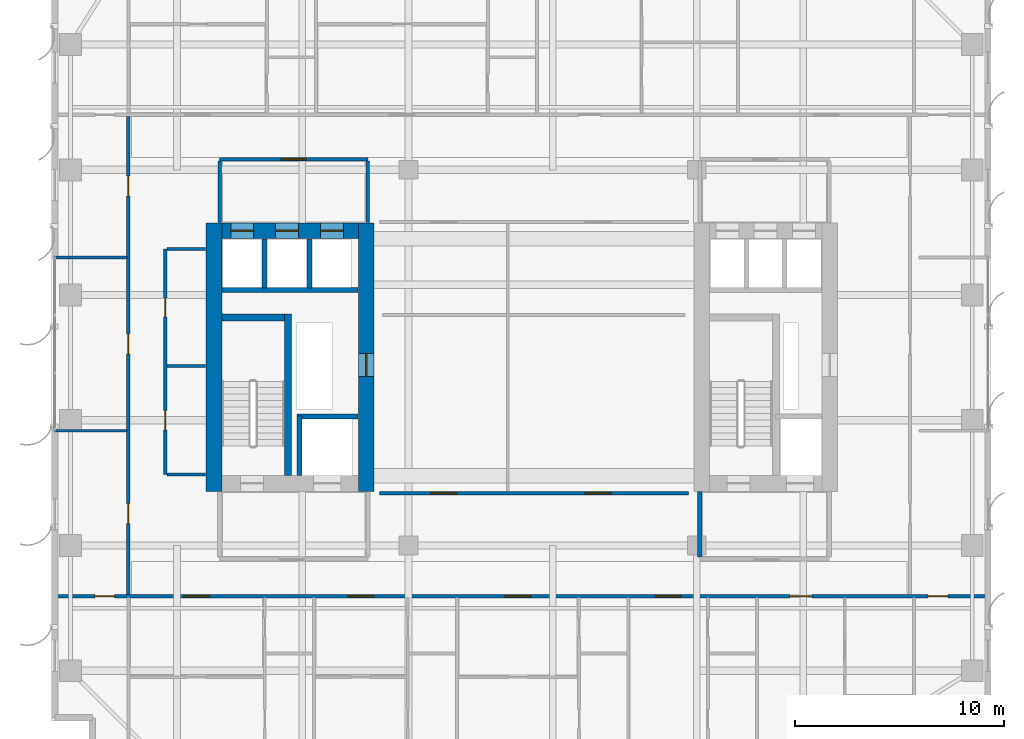
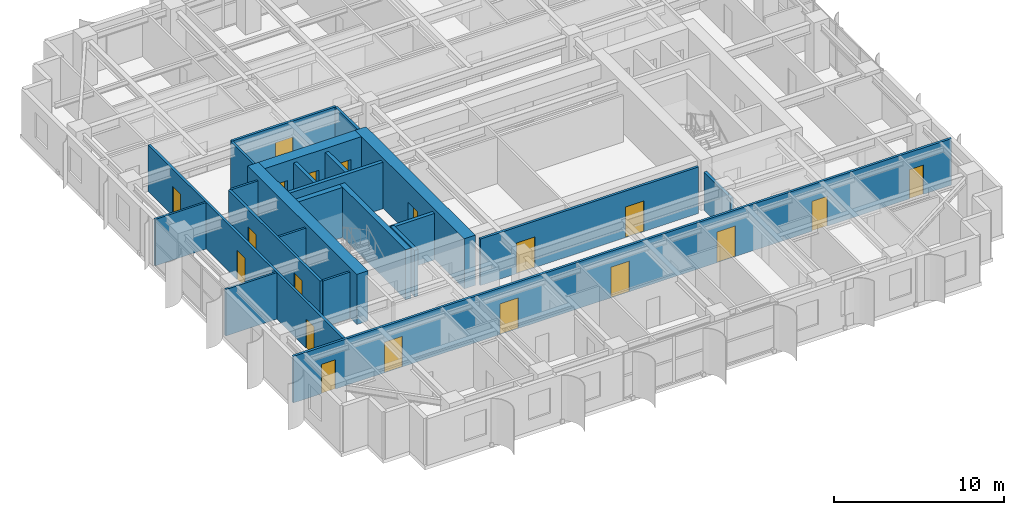
# One storey, part 14 of 22: 23 walls, 19 doors, 19 openings.
"""IFC4 building model written with IfcOpenShell, lengths in metres."""

from ifc_helpers import new_model, si_unit, direction, frame, frame_2d, origin, place, context, subcontext, project, spatial, rectangle, extrude, source, transform, mapped, material, layer, layer_set, type_object, element, fill, save


model = new_model("IFC4")

# Units and contexts
model_context = context("Model", 3, precision=1e-05, world=origin(), true_north=direction((0.0, 1.0)))
body_context = subcontext(model_context, "Body", "Model", "MODEL_VIEW")
ifc_project = project(units=[si_unit("LENGTHUNIT", "METRE"), si_unit("AREAUNIT", "SQUARE_METRE"), si_unit("VOLUMEUNIT", "CUBIC_METRE"), si_unit("PLANEANGLEUNIT", "RADIAN"), si_unit("MASSUNIT", "GRAM", prefix="KILO")], contexts=[model_context])

# Site, building, storey
site_placement = place(None, origin())
site = spatial("IfcSite", under=ifc_project, at=site_placement, CompositionType="ELEMENT")
building_placement = place(site_placement, origin())
building = spatial("IfcBuilding", under=site, at=building_placement, Name="Khoralis Quay Care Tower", CompositionType="ELEMENT")
storey_placement = place(building_placement, frame((0.0, 0.0, 98.10009765625)))
storey = spatial("IfcBuildingStorey", under=building, at=storey_placement, Name="L25", CompositionType="ELEMENT", Elevation=98.10009765625)

# Walls
ifc_material_1 = material(Name="Gypsum plasterboard on acoustic metal stud")
ifc_layer_1 = layer(ifc_material_1, 0.199951171875)
ifc_layer_set_1 = layer_set([ifc_layer_1], Name="Gypsum plasterboard on acoustic metal stud")
wall_type_1 = type_object("IfcWallType", Name="WL-COMP-200", PredefinedType="PARTITIONING", material=ifc_layer_set_1)
wall_1_placement = place(storey_placement, frame((31.050048828125, 11.445068359375, 0.0), z_axis=(0.0, 0.0, 1.0), x_axis=(0.0, 1.0, 0.0)))
element("IfcWall", 1, at=wall_1_placement, inside=storey, type_object=wall_type_1, Name="L25 East Firefighting Lobby West Wall", PredefinedType="PARTITIONING", context=body_context, shape_type="SweptSolid", body=[
    extrude(rectangle(XDim=3.135009765625, YDim=0.199951171875, at=frame_2d((1.5673828125, 0.0))), origin(), (0.0, 0.0, 1.0), 2.723876953125),
])
ifc_material_2 = material(Name="Concrete C80/95", Category="concrete")
ifc_layer_2 = layer(ifc_material_2, 0.75)
ifc_layer_set_2 = layer_set([ifc_layer_2], Name="Concrete C80/95")
wall_type_2 = type_object("IfcWallType", Name="WL-CORE-750", PredefinedType="SHEAR", material=ifc_layer_set_2)
wall_2_placement = place(storey_placement, frame((7.77490234375, 14.60009765625, 0.0), z_axis=(0.0, 0.0, 1.0), x_axis=(0.0, 1.0, 0.0)))
element("IfcWall", 2, at=wall_2_placement, inside=storey, type_object=wall_type_2, Name="L25 WCORE West Shear Wall", PredefinedType="SHEAR", context=body_context, shape_type="SweptSolid", body=[
    extrude(rectangle(XDim=12.849853515625, YDim=0.75, at=frame_2d((6.4248046875, 0.0))), origin(), (0.0, 0.0, 1.0), 3.599853515625),
])

# Wall, opening, door
wall_3_placement = place(storey_placement, frame((15.074951171875, 14.60009765625, 0.0), z_axis=(0.0, 0.0, 1.0), x_axis=(0.0, 1.0, 0.0)))
wall_3 = element("IfcWall", 3, at=wall_3_placement, inside=storey, type_object=wall_type_2, Name="L25 WCORE East Shear Wall", PredefinedType="SHEAR", context=body_context, shape_type="SweptSolid", body=[
    extrude(rectangle(XDim=12.849853515625, YDim=0.75, at=frame_2d((6.4248046875, 0.0))), origin(), (0.0, 0.0, 1.0), 3.599853515625),
])
opening_1_placement = place(wall_3_placement, frame((5.5, 0.0, 0.0)))
opening_1 = element("IfcOpeningElement", 4, at=opening_1_placement, cuts=wall_3, Name="Opening SD1", PredefinedType="OPENING", context=body_context, shape_type="SweptSolid", body=[
    extrude(rectangle(XDim=1.10009765625, YDim=2.199951171875, at=frame_2d((0.550048828125, 1.10009765625))), frame((0.0, 0.385009765625, 0.0), z_axis=(0.0, -1.0, 0.0), x_axis=(1.0, 0.0, 0.0)), (0.0, 0.0, 1.0), 0.77001953125),
])
ifc_material_3 = material(Name="Fire-rated painted steel", Category="steel")
door_type_1 = type_object("IfcDoorType", Name="DR-STAIR-1100X2200", OperationType="NOTDEFINED", PredefinedType="DOOR", material=ifc_material_3)
shared_shape_1 = source(origin(), body_context, "Body", "SweptSolid", [
    extrude(rectangle(XDim=1.10009765625, YDim=2.199951171875, at=frame_2d((0.550048828125, 1.10009765625))), frame((0.0, 0.02490234375, 0.0), z_axis=(0.0, -1.0, 0.0), x_axis=(1.0, 0.0, 0.0)), (0.0, 0.0, 1.0), 0.050048828125),
])
door_1_placement = place(opening_1_placement, origin())
door_1 = element("IfcDoor", 5, at=door_1_placement, inside=storey, type_object=door_type_1, Name="L25 West MEP Riser Door", OperationType="SINGLE_SWING_LEFT", OverallHeight=2.199951171875, OverallWidth=1.10009765625, PredefinedType="DOOR", context=body_context, shape_type="MappedRepresentation", body=[
    mapped(shared_shape_1, transform((0.0, 0.0, 0.0), scale=1.0)),
])
fill(opening_1, door_1)

# Wall, openings, doors
wall_4_placement = place(storey_placement, frame((8.14990234375, 27.074951171875, 0.0), z_axis=(0.0, 0.0, 1.0), x_axis=(1.0, 0.0, 0.0)))
wall_4 = element("IfcWall", 6, at=wall_4_placement, inside=storey, type_object=wall_type_2, Name="L25 WCORE North Shear Wall", PredefinedType="SHEAR", context=body_context, shape_type="SweptSolid", body=[
    extrude(rectangle(XDim=6.550048828125, YDim=0.75, at=frame_2d((3.27490234375, 0.0))), origin(), (0.0, 0.0, 1.0), 3.599853515625),
])
opening_2_placement = place(wall_4_placement, frame((0.429931640625, 0.0, 0.0)))
opening_2 = element("IfcOpeningElement", 7, at=opening_2_placement, cuts=wall_4, Name="Opening LD1", PredefinedType="OPENING", context=body_context, shape_type="SweptSolid", body=[
    extrude(rectangle(XDim=1.10009765625, YDim=2.199951171875, at=frame_2d((0.550048828125, 1.10009765625))), frame((0.0, 0.385009765625, 0.0), z_axis=(0.0, -1.0, 0.0), x_axis=(1.0, 0.0, 0.0)), (0.0, 0.0, 1.0), 0.77001953125),
])
opening_3_placement = place(wall_4_placement, frame((2.570068359375, 0.0, 0.0)))
opening_3 = element("IfcOpeningElement", 8, at=opening_3_placement, cuts=wall_4, Name="Opening LD1", PredefinedType="OPENING", context=body_context, shape_type="SweptSolid", body=[
    extrude(rectangle(XDim=1.10009765625, YDim=2.199951171875, at=frame_2d((0.550048828125, 1.10009765625))), frame((0.0, 0.385009765625, 0.0), z_axis=(0.0, -1.0, 0.0), x_axis=(1.0, 0.0, 0.0)), (0.0, 0.0, 1.0), 0.77001953125),
])
opening_4_placement = place(wall_4_placement, frame((4.72998046875, 0.0, 0.0)))
opening_4 = element("IfcOpeningElement", 9, at=opening_4_placement, cuts=wall_4, Name="Opening LD1", PredefinedType="OPENING", context=body_context, shape_type="SweptSolid", body=[
    extrude(rectangle(XDim=1.10009765625, YDim=2.199951171875, at=frame_2d((0.550048828125, 1.10009765625))), frame((0.0, 0.385009765625, 0.0), z_axis=(0.0, -1.0, 0.0), x_axis=(1.0, 0.0, 0.0)), (0.0, 0.0, 1.0), 0.77001953125),
])
ifc_material_4 = material(Name="Brushed stainless steel", Category="steel")
door_type_2 = type_object("IfcDoorType", Name="DR-LIFT-1100X2200", OperationType="SLIDING_TO_LEFT", PredefinedType="DOOR", material=ifc_material_4)
shared_shape_2 = source(origin(), body_context, "Body", "SweptSolid", [
    extrude(rectangle(XDim=1.10009765625, YDim=2.199951171875, at=frame_2d((0.550048828125, 1.10009765625))), frame((0.0, 0.02490234375, 0.0), z_axis=(0.0, -1.0, 0.0), x_axis=(1.0, 0.0, 0.0)), (0.0, 0.0, 1.0), 0.050048828125),
])
door_2_placement = place(opening_2_placement, origin())
door_2 = element("IfcDoor", 10, at=door_2_placement, inside=storey, type_object=door_type_2, Name="L25 Lift PLL1 Landing Door", OperationType="SLIDING_TO_LEFT", OverallHeight=2.199951171875, OverallWidth=1.10009765625, PredefinedType="DOOR", context=body_context, shape_type="MappedRepresentation", body=[
    mapped(shared_shape_2, transform((0.0, 0.0, 0.0), scale=1.0)),
])
fill(opening_2, door_2)
door_3_placement = place(opening_3_placement, origin())
door_3 = element("IfcDoor", 11, at=door_3_placement, inside=storey, type_object=door_type_2, Name="L25 Lift PLM1 Landing Door", OperationType="SLIDING_TO_LEFT", OverallHeight=2.199951171875, OverallWidth=1.10009765625, PredefinedType="DOOR", context=body_context, shape_type="MappedRepresentation", body=[
    mapped(shared_shape_2, transform((0.0, 0.0, 0.0), scale=1.0)),
])
fill(opening_3, door_3)
door_4_placement = place(opening_4_placement, origin())
door_4 = element("IfcDoor", 12, at=door_4_placement, inside=storey, type_object=door_type_2, Name="L25 Lift PLH1 Landing Door", OperationType="SLIDING_TO_LEFT", OverallHeight=2.199951171875, OverallWidth=1.10009765625, PredefinedType="DOOR", context=body_context, shape_type="MappedRepresentation", body=[
    mapped(shared_shape_2, transform((0.0, 0.0, 0.0), scale=1.0)),
])
fill(opening_4, door_4)

# Wall, opening, door
ifc_layer_3 = layer(ifc_material_1, 0.1650390625)
ifc_layer_set_3 = layer_set([ifc_layer_3], Name="Gypsum plasterboard on acoustic metal stud")
wall_type_3 = type_object("IfcWallType", Name="WL-CORR-165", PredefinedType="PARTITIONING", material=ifc_layer_set_3)
wall_5_placement = place(storey_placement, frame((8.050048828125, 30.5, 0.0), z_axis=(0.0, 0.0, 1.0), x_axis=(1.0, 0.0, 0.0)))
wall_5 = element("IfcWall", 13, at=wall_5_placement, inside=storey, type_object=wall_type_3, Name="L25 West Lift Lobby North Wall", PredefinedType="PARTITIONING", context=body_context, shape_type="SweptSolid", body=[
    extrude(rectangle(XDim=7.099853515625, YDim=0.1650390625, at=frame_2d((3.5498046875, 0.0))), origin(), (0.0, 0.0, 1.0), 3.33984375),
])
opening_5_placement = place(wall_5_placement, frame((2.949951171875, 0.0, 0.0)))
opening_5 = element("IfcOpeningElement", 14, at=opening_5_placement, cuts=wall_5, Name="Opening FD1", PredefinedType="OPENING", context=body_context, shape_type="SweptSolid", body=[
    extrude(rectangle(XDim=1.199951171875, YDim=2.199951171875, at=frame_2d((0.60009765625, 1.10009765625))), frame((0.0, 0.092529296875, 0.0), z_axis=(0.0, -1.0, 0.0), x_axis=(1.0, 0.0, 0.0)), (0.0, 0.0, 1.0), 0.18505859375),
])
door_type_3 = type_object("IfcDoorType", Name="DR-FFL-1200X2200", OperationType="NOTDEFINED", PredefinedType="DOOR", material=ifc_material_3)
shared_shape_3 = source(origin(), body_context, "Body", "SweptSolid", [
    extrude(rectangle(XDim=1.199951171875, YDim=2.199951171875, at=frame_2d((0.60009765625, 1.10009765625))), frame((0.0, 0.02490234375, 0.0), z_axis=(0.0, -1.0, 0.0), x_axis=(1.0, 0.0, 0.0)), (0.0, 0.0, 1.0), 0.050048828125),
])
door_5_placement = place(opening_5_placement, origin())
door_5 = element("IfcDoor", 15, at=door_5_placement, inside=storey, type_object=door_type_3, Name="L25 West Lift Lobby Double Door", OperationType="DOUBLE_DOOR_SINGLE_SWING", OverallHeight=2.199951171875, OverallWidth=1.199951171875, PredefinedType="DOOR", context=body_context, shape_type="MappedRepresentation", body=[
    mapped(shared_shape_3, transform((0.0, 0.0, 0.0), scale=1.0)),
])
fill(opening_5, door_5)

# Walls
for number, where, z_axis, x_axis, name in (
    (16, (8.050048828125, 27.469970703125, 0.0), (0.0, 0.0, 1.0), (0.0, 1.0, 0.0), "L25 West Lift Lobby West Wall"),
    (17, (15.14990234375, 27.469970703125, 0.0), (0.0, 0.0, 1.0), (0.0, 1.0, 0.0), "L25 West Lift Lobby East Wall"),
):
    element("IfcWall", number, at=place(storey_placement, frame(where, z_axis=z_axis, x_axis=x_axis)), inside=storey, type_object=wall_type_3, Name=name, PredefinedType="PARTITIONING", context=body_context, shape_type="SweptSolid", body=[
        extrude(rectangle(XDim=2.95263671875, YDim=0.1650390625, at=frame_2d((1.476318359375, 0.0))), origin(), (0.0, 0.0, 1.0), 3.33984375),
    ])

# Wall, openings, doors
wall_6_placement = place(storey_placement, frame((5.449951171875, 15.39990234375, 0.0), z_axis=(0.0, 0.0, 1.0), x_axis=(0.0, 1.0, 0.0)))
wall_6 = element("IfcWall", 18, at=wall_6_placement, inside=storey, type_object=wall_type_3, Name="L25 West Core Service Flank Wall", PredefinedType="PARTITIONING", context=body_context, shape_type="SweptSolid", body=[
    extrude(rectangle(XDim=10.800048828125, YDim=0.1650390625, at=frame_2d((5.39990234375, 0.0))), origin(), (0.0, 0.0, 1.0), 3.33984375),
])
opening_6_placement = place(wall_6_placement, frame((2.125, 0.0, 0.0)))
opening_6 = element("IfcOpeningElement", 19, at=opening_6_placement, cuts=wall_6, Name="Opening ID1", PredefinedType="OPENING", context=body_context, shape_type="SweptSolid", body=[
    extrude(rectangle(XDim=0.949951171875, YDim=2.10009765625, at=frame_2d((0.47509765625, 1.050048828125))), frame((0.0, 0.092529296875, 0.0), z_axis=(0.0, -1.0, 0.0), x_axis=(1.0, 0.0, 0.0)), (0.0, 0.0, 1.0), 0.18505859375),
])
opening_7_placement = place(wall_6_placement, frame((7.550048828125, 0.0, 0.0)))
opening_7 = element("IfcOpeningElement", 20, at=opening_7_placement, cuts=wall_6, Name="Opening WD1", PredefinedType="OPENING", context=body_context, shape_type="SweptSolid", body=[
    extrude(rectangle(XDim=0.89990234375, YDim=2.10009765625, at=frame_2d((0.449951171875, 1.050048828125))), frame((0.0, 0.092529296875, 0.0), z_axis=(0.0, -1.0, 0.0), x_axis=(1.0, 0.0, 0.0)), (0.0, 0.0, 1.0), 0.18505859375),
])
ifc_material_5 = material(Name="Acoustic hardwood timber", Category="wood")
door_type_4 = type_object("IfcDoorType", Name="DR-BATH-900X2100", OperationType="NOTDEFINED", PredefinedType="DOOR", material=ifc_material_5)
shared_shape_4 = source(origin(), body_context, "Body", "SweptSolid", [
    extrude(rectangle(XDim=0.89990234375, YDim=2.10009765625, at=frame_2d((0.449951171875, 1.050048828125))), frame((0.0, 0.02490234375, 0.0), z_axis=(0.0, -1.0, 0.0), x_axis=(1.0, 0.0, 0.0)), (0.0, 0.0, 1.0), 0.050048828125),
])
door_6_placement = place(opening_7_placement, frame((0.89990234375, 0.0, 0.0), z_axis=(0.0, 0.0, 1.0), x_axis=(-1.0, 0.0, 0.0)))
door_6 = element("IfcDoor", 21, at=door_6_placement, inside=storey, type_object=door_type_4, Name="L25 Public Accessible WC Door", OperationType="SINGLE_SWING_LEFT", OverallHeight=2.10009765625, OverallWidth=0.89990234375, PredefinedType="DOOR", context=body_context, shape_type="MappedRepresentation", body=[
    mapped(shared_shape_4, transform((0.0, 0.0, 0.0), scale=1.0)),
])
fill(opening_7, door_6)
door_type_5 = type_object("IfcDoorType", Name="DR-ROOM-950X2100", OperationType="NOTDEFINED", PredefinedType="DOOR", material=ifc_material_5)
shared_shape_5 = source(origin(), body_context, "Body", "SweptSolid", [
    extrude(rectangle(XDim=0.949951171875, YDim=2.10009765625, at=frame_2d((0.47509765625, 1.050048828125))), frame((0.0, 0.02490234375, 0.0), z_axis=(0.0, -1.0, 0.0), x_axis=(1.0, 0.0, 0.0)), (0.0, 0.0, 1.0), 0.050048828125),
])
door_7_placement = place(opening_6_placement, frame((0.949951171875, 0.0, 0.0), z_axis=(0.0, 0.0, 1.0), x_axis=(-1.0, 0.0, 0.0)))
door_7 = element("IfcDoor", 22, at=door_7_placement, inside=storey, type_object=door_type_5, Name="L25 Housekeeping Linen Store Door", OperationType="SINGLE_SWING_RIGHT", OverallHeight=2.10009765625, OverallWidth=0.949951171875, PredefinedType="DOOR", context=body_context, shape_type="MappedRepresentation", body=[
    mapped(shared_shape_5, transform((0.0, 0.0, 0.0), scale=1.0)),
])
fill(opening_6, door_7)

wall_7_placement = place(storey_placement, frame((0.14501953125, 9.580078125, 0.0), z_axis=(0.0, 0.0, 1.0), x_axis=(1.0, 0.0, 0.0)))
wall_7 = element("IfcWall", 23, at=wall_7_placement, inside=storey, type_object=wall_type_3, Name="L25 South Main Corridor Wall", PredefinedType="PARTITIONING", context=body_context, shape_type="SweptSolid", body=[
    extrude(rectangle(XDim=44.7099609375, YDim=0.1650390625, at=frame_2d((22.35498046875, 0.0))), origin(), (0.0, 0.0, 1.0), 3.33984375),
])
opening_8_placement = place(wall_7_placement, frame((6.175048828125, 0.0, 0.0)))
opening_8 = element("IfcOpeningElement", 24, at=opening_8_placement, cuts=wall_7, Name="Opening CD1", PredefinedType="OPENING", context=body_context, shape_type="SweptSolid", body=[
    extrude(rectangle(XDim=1.25, YDim=2.199951171875, at=frame_2d((0.625, 1.10009765625))), frame((0.0, 0.092529296875, 0.0), z_axis=(0.0, -1.0, 0.0), x_axis=(1.0, 0.0, 0.0)), (0.0, 0.0, 1.0), 0.18505859375),
])
opening_9_placement = place(wall_7_placement, frame((14.0400390625, 0.0, 0.0)))
opening_9 = element("IfcOpeningElement", 25, at=opening_9_placement, cuts=wall_7, Name="Opening CD1", PredefinedType="OPENING", context=body_context, shape_type="SweptSolid", body=[
    extrude(rectangle(XDim=1.25, YDim=2.199951171875, at=frame_2d((0.625, 1.10009765625))), frame((0.0, 0.092529296875, 0.0), z_axis=(0.0, -1.0, 0.0), x_axis=(1.0, 0.0, 0.0)), (0.0, 0.0, 1.0), 0.18505859375),
])
opening_10_placement = place(wall_7_placement, frame((21.570068359375, 0.0, 0.0)))
opening_10 = element("IfcOpeningElement", 26, at=opening_10_placement, cuts=wall_7, Name="Opening CD1", PredefinedType="OPENING", context=body_context, shape_type="SweptSolid", body=[
    extrude(rectangle(XDim=1.25, YDim=2.199951171875, at=frame_2d((0.625, 1.10009765625))), frame((0.0, 0.092529296875, 0.0), z_axis=(0.0, -1.0, 0.0), x_axis=(1.0, 0.0, 0.0)), (0.0, 0.0, 1.0), 0.18505859375),
])
opening_11_placement = place(wall_7_placement, frame((28.760009765625, 0.0, 0.0)))
opening_11 = element("IfcOpeningElement", 27, at=opening_11_placement, cuts=wall_7, Name="Opening CD1", PredefinedType="OPENING", context=body_context, shape_type="SweptSolid", body=[
    extrude(rectangle(XDim=1.25, YDim=2.199951171875, at=frame_2d((0.625, 1.10009765625))), frame((0.0, 0.092529296875, 0.0), z_axis=(0.0, -1.0, 0.0), x_axis=(1.0, 0.0, 0.0)), (0.0, 0.0, 1.0), 0.18505859375),
])
opening_12_placement = place(wall_7_placement, frame((35.228515625, 0.0, 0.0)))
opening_12 = element("IfcOpeningElement", 28, at=opening_12_placement, cuts=wall_7, Name="Opening UD1", PredefinedType="OPENING", context=body_context, shape_type="SweptSolid", body=[
    extrude(rectangle(XDim=1.050048828125, YDim=2.14990234375, at=frame_2d((0.52490234375, 1.074951171875))), frame((0.0, 0.092529296875, 0.0), z_axis=(0.0, -1.0, 0.0), x_axis=(1.0, 0.0, 0.0)), (0.0, 0.0, 1.0), 0.18505859375),
])
opening_13_placement = place(wall_7_placement, frame((1.919921875, 0.0, 0.0)))
opening_13 = element("IfcOpeningElement", 29, at=opening_13_placement, cuts=wall_7, Name="Opening ID1", PredefinedType="OPENING", context=body_context, shape_type="SweptSolid", body=[
    extrude(rectangle(XDim=0.949951171875, YDim=2.10009765625, at=frame_2d((0.47509765625, 1.050048828125))), frame((0.0, 0.092529296875, 0.0), z_axis=(0.0, -1.0, 0.0), x_axis=(1.0, 0.0, 0.0)), (0.0, 0.0, 1.0), 0.18505859375),
])
opening_14_placement = place(wall_7_placement, frame((41.840087890625, 0.0, 0.0)))
opening_14 = element("IfcOpeningElement", 30, at=opening_14_placement, cuts=wall_7, Name="Opening ID1", PredefinedType="OPENING", context=body_context, shape_type="SweptSolid", body=[
    extrude(rectangle(XDim=0.949951171875, YDim=2.10009765625, at=frame_2d((0.47509765625, 1.050048828125))), frame((0.0, 0.092529296875, 0.0), z_axis=(0.0, -1.0, 0.0), x_axis=(1.0, 0.0, 0.0)), (0.0, 0.0, 1.0), 0.18505859375),
])
door_type_6 = type_object("IfcDoorType", Name="DR-CARE-1250X2200", OperationType="NOTDEFINED", PredefinedType="DOOR", material=ifc_material_5)
shared_shape_6 = source(origin(), body_context, "Body", "SweptSolid", [
    extrude(rectangle(XDim=1.25, YDim=2.199951171875, at=frame_2d((0.625, 1.10009765625))), frame((0.0, 0.02490234375, 0.0), z_axis=(0.0, -1.0, 0.0), x_axis=(1.0, 0.0, 0.0)), (0.0, 0.0, 1.0), 0.050048828125),
])
door_8_placement = place(opening_8_placement, frame((1.25, 0.0, 0.0), z_axis=(0.0, 0.0, 1.0), x_axis=(-1.0, 0.0, 0.0)))
door_8 = element("IfcDoor", 31, at=door_8_placement, inside=storey, type_object=door_type_6, Name="L25 Care Suite SB0 Clinical Door", OperationType="SINGLE_SWING_LEFT", OverallHeight=2.199951171875, OverallWidth=1.25, PredefinedType="DOOR", context=body_context, shape_type="MappedRepresentation", body=[
    mapped(shared_shape_6, transform((0.0, 0.0, 0.0), scale=1.0)),
])
fill(opening_8, door_8)
door_9_placement = place(opening_9_placement, frame((1.25, 0.0, 0.0), z_axis=(0.0, 0.0, 1.0), x_axis=(-1.0, 0.0, 0.0)))
door_9 = element("IfcDoor", 32, at=door_9_placement, inside=storey, type_object=door_type_6, Name="L25 Care Suite SB1 Clinical Door", OperationType="SINGLE_SWING_RIGHT", OverallHeight=2.199951171875, OverallWidth=1.25, PredefinedType="DOOR", context=body_context, shape_type="MappedRepresentation", body=[
    mapped(shared_shape_6, transform((0.0, 0.0, 0.0), scale=1.0)),
])
fill(opening_9, door_9)
door_10_placement = place(opening_10_placement, frame((1.25, 0.0, 0.0), z_axis=(0.0, 0.0, 1.0), x_axis=(-1.0, 0.0, 0.0)))
door_10 = element("IfcDoor", 33, at=door_10_placement, inside=storey, type_object=door_type_6, Name="L25 Care Suite SB2 Clinical Door", OperationType="SINGLE_SWING_LEFT", OverallHeight=2.199951171875, OverallWidth=1.25, PredefinedType="DOOR", context=body_context, shape_type="MappedRepresentation", body=[
    mapped(shared_shape_6, transform((0.0, 0.0, 0.0), scale=1.0)),
])
fill(opening_10, door_10)
door_11_placement = place(opening_11_placement, frame((1.25, 0.0, 0.0), z_axis=(0.0, 0.0, 1.0), x_axis=(-1.0, 0.0, 0.0)))
door_11 = element("IfcDoor", 34, at=door_11_placement, inside=storey, type_object=door_type_6, Name="L25 Care Suite SB3 Clinical Door", OperationType="SINGLE_SWING_RIGHT", OverallHeight=2.199951171875, OverallWidth=1.25, PredefinedType="DOOR", context=body_context, shape_type="MappedRepresentation", body=[
    mapped(shared_shape_6, transform((0.0, 0.0, 0.0), scale=1.0)),
])
fill(opening_11, door_11)
door_12_placement = place(opening_13_placement, frame((0.949951171875, 0.0, 0.0), z_axis=(0.0, 0.0, 1.0), x_axis=(-1.0, 0.0, 0.0)))
door_12 = element("IfcDoor", 35, at=door_12_placement, inside=storey, type_object=door_type_5, Name="L25 SW Corner Door", OperationType="SINGLE_SWING_LEFT", OverallHeight=2.10009765625, OverallWidth=0.949951171875, PredefinedType="DOOR", context=body_context, shape_type="MappedRepresentation", body=[
    mapped(shared_shape_5, transform((0.0, 0.0, 0.0), scale=1.0)),
])
fill(opening_13, door_12)
door_13_placement = place(opening_14_placement, frame((0.949951171875, 0.0, 0.0), z_axis=(0.0, 0.0, 1.0), x_axis=(-1.0, 0.0, 0.0)))
door_13 = element("IfcDoor", 36, at=door_13_placement, inside=storey, type_object=door_type_5, Name="L25 SE Corner Door", OperationType="SINGLE_SWING_RIGHT", OverallHeight=2.10009765625, OverallWidth=0.949951171875, PredefinedType="DOOR", context=body_context, shape_type="MappedRepresentation", body=[
    mapped(shared_shape_5, transform((0.0, 0.0, 0.0), scale=1.0)),
])
fill(opening_14, door_13)
door_type_7 = type_object("IfcDoorType", Name="DR-SUITE-1050X2150", OperationType="NOTDEFINED", PredefinedType="DOOR", material=ifc_material_5)
shared_shape_7 = source(origin(), body_context, "Body", "SweptSolid", [
    extrude(rectangle(XDim=1.050048828125, YDim=2.14990234375, at=frame_2d((0.52490234375, 1.074951171875))), frame((0.0, 0.02490234375, 0.0), z_axis=(0.0, -1.0, 0.0), x_axis=(1.0, 0.0, 0.0)), (0.0, 0.0, 1.0), 0.050048828125),
])
door_14_placement = place(opening_12_placement, frame((1.050048828125, 0.0, 0.0), z_axis=(0.0, 0.0, 1.0), x_axis=(-1.0, 0.0, 0.0)))
door_14 = element("IfcDoor", 37, at=door_14_placement, inside=storey, type_object=door_type_7, Name="L25 Studio SB4 Entrance", OperationType="SINGLE_SWING_LEFT", OverallHeight=2.14990234375, OverallWidth=1.050048828125, PredefinedType="DOOR", context=body_context, shape_type="MappedRepresentation", body=[
    mapped(shared_shape_7, transform((0.0, 0.0, 0.0), scale=1.0)),
])
fill(opening_12, door_14)

wall_8_placement = place(storey_placement, frame((3.679931640625, 9.657470703125, 0.0), z_axis=(0.0, 0.0, 1.0), x_axis=(0.0, 1.0, 0.0)))
wall_8 = element("IfcWall", 38, at=wall_8_placement, inside=storey, type_object=wall_type_3, Name="L25 West Loop Corridor Wall", PredefinedType="PARTITIONING", context=body_context, shape_type="SweptSolid", body=[
    extrude(rectangle(XDim=22.905029296875, YDim=0.1650390625, at=frame_2d((11.45263671875, 0.0))), origin(), (0.0, 0.0, 1.0), 3.33984375),
])
opening_15_placement = place(wall_8_placement, frame((3.407470703125, 0.0, 0.0)))
opening_15 = element("IfcOpeningElement", 39, at=opening_15_placement, cuts=wall_8, Name="Opening ID1", PredefinedType="OPENING", context=body_context, shape_type="SweptSolid", body=[
    extrude(rectangle(XDim=0.949951171875, YDim=2.10009765625, at=frame_2d((0.47509765625, 1.050048828125))), frame((0.0, 0.092529296875, 0.0), z_axis=(0.0, -1.0, 0.0), x_axis=(1.0, 0.0, 0.0)), (0.0, 0.0, 1.0), 0.18505859375),
])
opening_16_placement = place(wall_8_placement, frame((11.517578125, 0.0, 0.0)))
opening_16 = element("IfcOpeningElement", 40, at=opening_16_placement, cuts=wall_8, Name="Opening ID1", PredefinedType="OPENING", context=body_context, shape_type="SweptSolid", body=[
    extrude(rectangle(XDim=0.949951171875, YDim=2.10009765625, at=frame_2d((0.47509765625, 1.050048828125))), frame((0.0, 0.092529296875, 0.0), z_axis=(0.0, -1.0, 0.0), x_axis=(1.0, 0.0, 0.0)), (0.0, 0.0, 1.0), 0.18505859375),
])
opening_17_placement = place(wall_8_placement, frame((19.08740234375, 0.0, 0.0)))
opening_17 = element("IfcOpeningElement", 41, at=opening_17_placement, cuts=wall_8, Name="Opening ID1", PredefinedType="OPENING", context=body_context, shape_type="SweptSolid", body=[
    extrude(rectangle(XDim=0.949951171875, YDim=2.10009765625, at=frame_2d((0.47509765625, 1.050048828125))), frame((0.0, 0.092529296875, 0.0), z_axis=(0.0, -1.0, 0.0), x_axis=(1.0, 0.0, 0.0)), (0.0, 0.0, 1.0), 0.18505859375),
])
door_15_placement = place(opening_15_placement, origin())
door_15 = element("IfcDoor", 42, at=door_15_placement, inside=storey, type_object=door_type_5, Name="L25 Therapy Consultation Room Door", OperationType="SINGLE_SWING_LEFT", OverallHeight=2.10009765625, OverallWidth=0.949951171875, PredefinedType="DOOR", context=body_context, shape_type="MappedRepresentation", body=[
    mapped(shared_shape_5, transform((0.0, 0.0, 0.0), scale=1.0)),
])
fill(opening_15, door_15)
door_16_placement = place(opening_16_placement, origin())
door_16 = element("IfcDoor", 43, at=door_16_placement, inside=storey, type_object=door_type_5, Name="L25 Assisted Activity Lounge Door", OperationType="SINGLE_SWING_RIGHT", OverallHeight=2.10009765625, OverallWidth=0.949951171875, PredefinedType="DOOR", context=body_context, shape_type="MappedRepresentation", body=[
    mapped(shared_shape_5, transform((0.0, 0.0, 0.0), scale=1.0)),
])
fill(opening_16, door_16)
door_17_placement = place(opening_17_placement, origin())
door_17 = element("IfcDoor", 44, at=door_17_placement, inside=storey, type_object=door_type_5, Name="L25 Nurse Charting Office Door", OperationType="SINGLE_SWING_LEFT", OverallHeight=2.10009765625, OverallWidth=0.949951171875, PredefinedType="DOOR", context=body_context, shape_type="MappedRepresentation", body=[
    mapped(shared_shape_5, transform((0.0, 0.0, 0.0), scale=1.0)),
])
fill(opening_17, door_17)

wall_9_placement = place(storey_placement, frame((15.699951171875, 14.5, 0.0), z_axis=(0.0, 0.0, 1.0), x_axis=(1.0, 0.0, 0.0)))
wall_9 = element("IfcWall", 45, at=wall_9_placement, inside=storey, type_object=wall_type_3, Name="L25 Central Clinical South Wall", PredefinedType="PARTITIONING", context=body_context, shape_type="SweptSolid", body=[
    extrude(rectangle(XDim=14.800048828125, YDim=0.1650390625, at=frame_2d((7.39990234375, 0.0))), origin(), (0.0, 0.0, 1.0), 3.33984375),
])
opening_18_placement = place(wall_9_placement, frame((2.449951171875, 0.0, 0.0)))
opening_18 = element("IfcOpeningElement", 46, at=opening_18_placement, cuts=wall_9, Name="Opening CD1", PredefinedType="OPENING", context=body_context, shape_type="SweptSolid", body=[
    extrude(rectangle(XDim=1.25, YDim=2.199951171875, at=frame_2d((0.625, 1.10009765625))), frame((0.0, 0.092529296875, 0.0), z_axis=(0.0, -1.0, 0.0), x_axis=(1.0, 0.0, 0.0)), (0.0, 0.0, 1.0), 0.18505859375),
])
opening_19_placement = place(wall_9_placement, frame((9.85009765625, 0.0, 0.0)))
opening_19 = element("IfcOpeningElement", 47, at=opening_19_placement, cuts=wall_9, Name="Opening CD1", PredefinedType="OPENING", context=body_context, shape_type="SweptSolid", body=[
    extrude(rectangle(XDim=1.25, YDim=2.199951171875, at=frame_2d((0.625, 1.10009765625))), frame((0.0, 0.092529296875, 0.0), z_axis=(0.0, -1.0, 0.0), x_axis=(1.0, 0.0, 0.0)), (0.0, 0.0, 1.0), 0.18505859375),
])
door_18_placement = place(opening_18_placement, origin())
door_18 = element("IfcDoor", 48, at=door_18_placement, inside=storey, type_object=door_type_6, Name="L25 Nurse Station Door", OperationType="SINGLE_SWING_LEFT", OverallHeight=2.199951171875, OverallWidth=1.25, PredefinedType="DOOR", context=body_context, shape_type="MappedRepresentation", body=[
    mapped(shared_shape_6, transform((0.0, 0.0, 0.0), scale=1.0)),
])
fill(opening_18, door_18)
door_19_placement = place(opening_19_placement, origin())
door_19 = element("IfcDoor", 49, at=door_19_placement, inside=storey, type_object=door_type_6, Name="L25 Treatment Clinic Door", OperationType="SINGLE_SWING_RIGHT", OverallHeight=2.199951171875, OverallWidth=1.25, PredefinedType="DOOR", context=body_context, shape_type="MappedRepresentation", body=[
    mapped(shared_shape_6, transform((0.0, 0.0, 0.0), scale=1.0)),
])
fill(opening_19, door_19)

# Walls
ifc_material_6 = material(Name="Moisture-resistant gypsum and ceramic tile")
ifc_layer_4 = layer(ifc_material_6, 0.280029296875)
ifc_layer_set_4 = layer_set([ifc_layer_4], Name="Moisture-resistant gypsum and ceramic tile")
wall_type_4 = type_object("IfcWallType", Name="WL-PLUMB-280", PredefinedType="PLUMBINGWALL", material=ifc_layer_set_4)
wall_10_placement = place(storey_placement, frame((5.527587890625, 20.60009765625, 0.0), z_axis=(0.0, 0.0, 1.0), x_axis=(1.0, 0.0, 0.0)))
element("IfcWall", 50, at=wall_10_placement, inside=storey, type_object=wall_type_4, Name="L25 West Flank Divider 1", PredefinedType="PLUMBINGWALL", context=body_context, shape_type="SweptSolid", body=[
    extrude(rectangle(XDim=1.83251953125, YDim=0.139892578125, at=frame_2d((0.916259765625, 0.0))), origin(), (0.0, 0.0, 1.0), 3.33984375),
])
ifc_material_7 = material(Name="Concrete C40/50", Category="concrete")
ifc_layer_5 = layer(ifc_material_7, 0.35009765625)
ifc_layer_set_5 = layer_set([ifc_layer_5], Name="Concrete C40/50")
wall_type_5 = type_object("IfcWallType", Name="WL-SC-CORE-350", PredefinedType="SHEAR", material=ifc_layer_set_5)
wall_11_placement = place(storey_placement, frame((11.324951171875, 15.35009765625, 0.0), z_axis=(0.0, 0.0, 1.0), x_axis=(0.0, 1.0, 0.0)))
element("IfcWall", 51, at=wall_11_placement, inside=storey, type_object=wall_type_5, Name="L25 Stair ST-T1 Shear Baffle Wall East", PredefinedType="SHEAR", context=body_context, shape_type="SweptSolid", body=[
    extrude(rectangle(XDim=7.75, YDim=0.35009765625, at=frame_2d((3.875, 0.0))), origin(), (0.0, 0.0, 1.0), 3.599853515625),
])
wall_12_placement = place(storey_placement, frame((8.14990234375, 22.925048828125, 0.0), z_axis=(0.0, 0.0, 1.0), x_axis=(1.0, 0.0, 0.0)))
element("IfcWall", 52, at=wall_12_placement, inside=storey, type_object=wall_type_5, Name="L25 Stair ST-T1 Shear Baffle Wall North", PredefinedType="SHEAR", context=body_context, shape_type="SweptSolid", body=[
    extrude(rectangle(XDim=3.0, YDim=0.35009765625, at=frame_2d((1.5, 0.0))), origin(), (0.0, 0.0, 1.0), 3.599853515625),
])
ifc_layer_6 = layer(ifc_material_1, 0.239990234375)
ifc_layer_set_6 = layer_set([ifc_layer_6], Name="Gypsum plasterboard on acoustic metal stud")
wall_type_6 = type_object("IfcWallType", Name="WL-SHAFT-240", PredefinedType="PARTITIONING", material=ifc_layer_set_6)
wall_13_placement = place(storey_placement, frame((11.8798828125, 15.35009765625, 0.0), z_axis=(0.0, 0.0, 1.0), x_axis=(0.0, 1.0, 0.0)))
element("IfcWall", 53, at=wall_13_placement, inside=storey, type_object=wall_type_6, Name="L25 FFL-1 Shaft Wall West", PredefinedType="PARTITIONING", context=body_context, shape_type="SweptSolid", body=[
    extrude(rectangle(XDim=2.849853515625, YDim=0.239990234375, at=frame_2d((1.4248046875, 0.0))), origin(), (0.0, 0.0, 1.0), 3.33984375),
])
wall_14_placement = place(storey_placement, frame((11.760009765625, 18.169921875, 0.0), z_axis=(0.0, 0.0, 1.0), x_axis=(1.0, 0.0, 0.0)))
element("IfcWall", 54, at=wall_14_placement, inside=storey, type_object=wall_type_6, Name="L25 FFL-1 Shaft Wall North", PredefinedType="PARTITIONING", context=body_context, shape_type="SweptSolid", body=[
    extrude(rectangle(XDim=2.919921875, YDim=0.239990234375, at=frame_2d((1.4599609375, 0.0))), origin(), (0.0, 0.0, 1.0), 3.33984375),
])
wall_15_placement = place(storey_placement, frame((8.14990234375, 24.22998046875, 0.0), z_axis=(0.0, 0.0, 1.0), x_axis=(1.0, 0.0, 0.0)))
element("IfcWall", 55, at=wall_15_placement, inside=storey, type_object=wall_type_6, Name="L25 West Passenger Shaft South Wall", PredefinedType="PARTITIONING", context=body_context, shape_type="SweptSolid", body=[
    extrude(rectangle(XDim=6.530029296875, YDim=0.239990234375, at=frame_2d((3.26513671875, 0.0))), origin(), (0.0, 0.0, 1.0), 3.33984375),
])
for number, where, z_axis, x_axis, name in (
    (56, (10.199951171875, 24.344970703125, 0.0), (0.0, 0.0, 1.0), (0.0, 1.0, 0.0), "L25 West Shaft Divider 1"),
    (57, (12.35009765625, 24.344970703125, 0.0), (0.0, 0.0, 1.0), (0.0, 1.0, 0.0), "L25 West Shaft Divider 2"),
):
    element("IfcWall", number, at=place(storey_placement, frame(where, z_axis=z_axis, x_axis=x_axis)), inside=storey, type_object=wall_type_6, Name=name, PredefinedType="PARTITIONING", context=body_context, shape_type="SweptSolid", body=[
        extrude(rectangle(XDim=2.3349609375, YDim=0.239990234375, at=frame_2d((1.16748046875, 0.0))), origin(), (0.0, 0.0, 1.0), 3.33984375),
    ])
ifc_layer_7 = layer(ifc_material_1, 0.139892578125)
ifc_layer_set_7 = layer_set([ifc_layer_7], Name="Gypsum plasterboard on acoustic metal stud")
wall_type_7 = type_object("IfcWallType", Name="WL-UNIT-140", PredefinedType="PARTITIONING", material=ifc_layer_set_7)
for number, where, z_axis, x_axis, name in (
    (58, (5.527587890625, 15.39990234375, 0.0), (0.0, 0.0, 1.0), (1.0, 0.0, 0.0), "L25 West Flank South Cap"),
    (59, (5.527587890625, 26.199951171875, 0.0), (0.0, 0.0, 1.0), (1.0, 0.0, 0.0), "L25 West Flank North Cap"),
):
    element("IfcWall", number, at=place(storey_placement, frame(where, z_axis=z_axis, x_axis=x_axis)), inside=storey, type_object=wall_type_7, Name=name, PredefinedType="PARTITIONING", context=body_context, shape_type="SweptSolid", body=[
        extrude(rectangle(XDim=1.83251953125, YDim=0.139892578125, at=frame_2d((0.916259765625, 0.0))), origin(), (0.0, 0.0, 1.0), 3.33984375),
    ])
for number, where, z_axis, x_axis, name in (
    (60, (0.14501953125, 17.5, 0.0), (0.0, 0.0, 1.0), (1.0, 0.0, 0.0), "L25 WW Divider 1"),
    (61, (0.14501953125, 25.800048828125, 0.0), (0.0, 0.0, 1.0), (1.0, 0.0, 0.0), "L25 WW Divider 2"),
):
    element("IfcWall", number, at=place(storey_placement, frame(where, z_axis=z_axis, x_axis=x_axis)), inside=storey, type_object=wall_type_7, Name=name, PredefinedType="PARTITIONING", context=body_context, shape_type="SweptSolid", body=[
        extrude(rectangle(XDim=3.45751953125, YDim=0.139892578125, at=frame_2d((1.728759765625, 0.0))), origin(), (0.0, 0.0, 1.0), 3.33984375),
    ])

save(model, "model.ifc")
